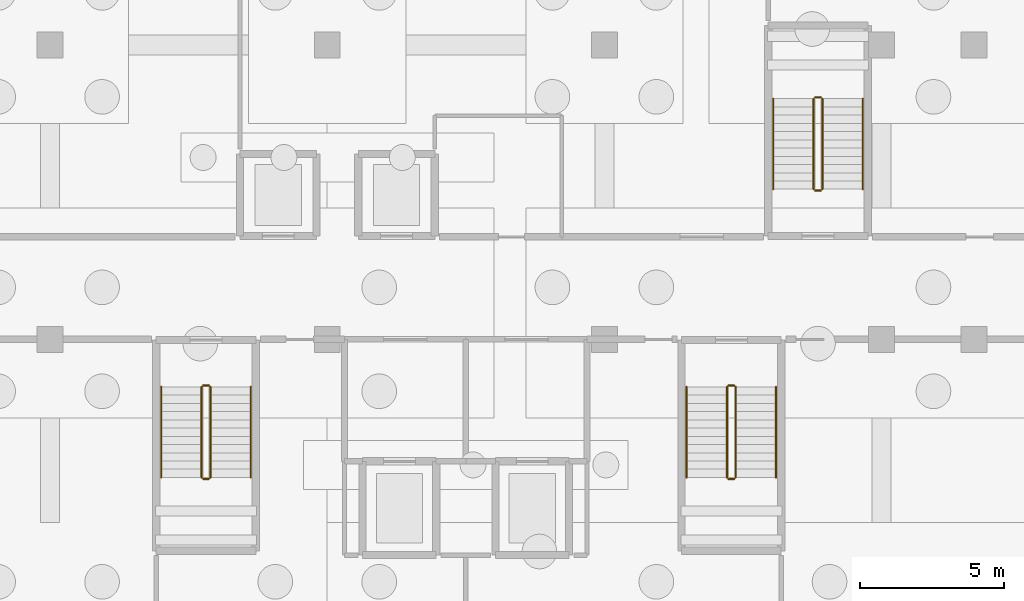
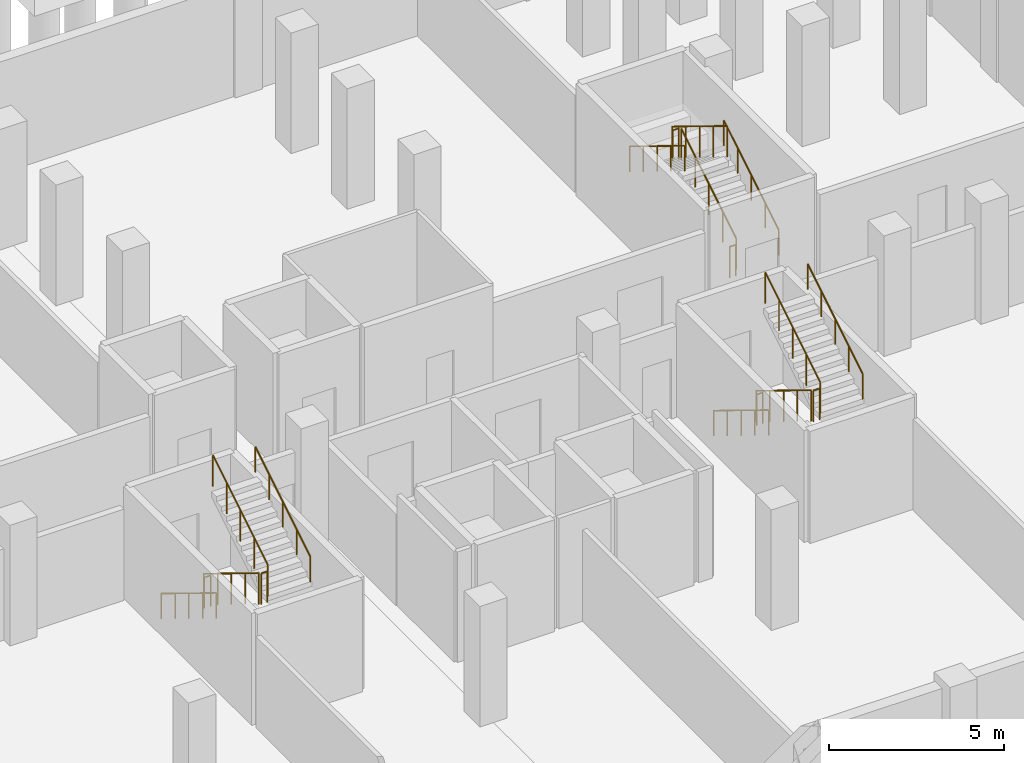
# One storey, part 14 of 18: 18 railings.
"""IFC4 building model written with IfcOpenShell, lengths in metres."""

from ifc_helpers import new_model, si_unit, direction, frame, origin, origin_2d, place, context, subcontext, project, spatial, circle, extrude, material, layer, layer_set, type_object, element, save


model = new_model("IFC4")

# Units and contexts
model_context = context("Model", 3, precision=1e-05, world=origin(), true_north=direction((0.0, 1.0)))
body_context = subcontext(model_context, "Body", "Model", "MODEL_VIEW")
ifc_project = project(units=[si_unit("LENGTHUNIT", "METRE"), si_unit("AREAUNIT", "SQUARE_METRE"), si_unit("VOLUMEUNIT", "CUBIC_METRE"), si_unit("PLANEANGLEUNIT", "RADIAN"), si_unit("MASSUNIT", "GRAM", prefix="KILO")], contexts=[model_context])

# Site, building, storey
site_placement = place(None, origin())
site = spatial("IfcSite", under=ifc_project, at=site_placement, CompositionType="ELEMENT")
building_placement = place(site_placement, origin())
building = spatial("IfcBuilding", under=site, at=building_placement, Name="Vondelvale Polytechnic", CompositionType="ELEMENT")
storey_placement = place(building_placement, frame((0.0, 0.0, -4.199951171875)))
storey = spatial("IfcBuildingStorey", under=building, at=storey_placement, Name="B1", CompositionType="ELEMENT", Elevation=-4.199951171875)

# Railings
ifc_material = material(Name="Brushed architectural stainless and zinc-coated metal")
ifc_layer_1 = layer(ifc_material, 0.050048828125)
ifc_layer_set_1 = layer_set([ifc_layer_1], Name="RL-STAIR-GUARD")
railing_type_1 = type_object("IfcRailingType", Name="RL-STAIR-GUARD", PredefinedType="GUARDRAIL", material=ifc_layer_set_1)
railing_1_placement = place(storey_placement, frame((14.85009765625, 18.75, 0.175048828125)))
element("IfcRailing", 1, at=railing_1_placement, inside=storey, type_object=railing_type_1, Name="B1 ST-03 stair guard 1", PredefinedType="GUARDRAIL", context=body_context, shape_type="SweptSolid", body=[
    extrude(circle(Radius=0.02392578125, at=origin_2d()), frame((0.0, 0.0, 1.076171875), z_axis=(0.0, -0.852195625947, 0.523223293744), x_axis=(1.0, 0.0, 0.0)), (0.0, 0.0, 1.0), 3.6787109375),
    extrude(circle(Radius=0.02099609375, at=origin_2d()), origin(), (0.0, 0.0, 1.0), 1.052001953125),
    extrude(circle(Radius=0.02099609375, at=origin_2d()), frame((0.0, -0.78369140625, 0.481201171875)), (0.0, 0.0, 1.0), 1.052001953125),
    extrude(circle(Radius=0.02099609375, at=origin_2d()), frame((0.0, -1.5673828125, 0.96240234375)), (0.0, 0.0, 1.0), 1.052001953125),
    extrude(circle(Radius=0.02099609375, at=origin_2d()), frame((0.0, -2.351318359375, 1.443603515625)), (0.0, 0.0, 1.0), 1.052001953125),
    extrude(circle(Radius=0.02099609375, at=origin_2d()), frame((0.0, -3.135009765625, 1.9248046875)), (0.0, 0.0, 1.0), 1.052001953125),
])
railing_2_placement = place(storey_placement, frame((14.89990234375, 15.56494140625, 2.099853515625)))
element("IfcRailing", 2, at=railing_2_placement, inside=storey, type_object=railing_type_1, Name="B1 ST-03 stair guard 2", PredefinedType="GUARDRAIL", context=body_context, shape_type="SweptSolid", body=[
    extrude(circle(Radius=0.02392578125, at=origin_2d()), frame((0.0, 0.0, 1.076171875), z_axis=(1.0, 0.0, 0.0), x_axis=(0.0, 1.0, 0.0)), (0.0, 0.0, 1.0), 0.2001953125),
    extrude(circle(Radius=0.02099609375, at=origin_2d()), origin(), (0.0, 0.0, 1.0), 1.052001953125),
    extrude(circle(Radius=0.02099609375, at=origin_2d()), frame((0.2001953125, 0.0, 0.0)), (0.0, 0.0, 1.0), 1.052001953125),
])
railing_3_placement = place(storey_placement, frame((15.14990234375, 15.614990234375, 2.27490234375)))
element("IfcRailing", 3, at=railing_3_placement, inside=storey, type_object=railing_type_1, Name="B1 ST-03 stair guard 3", PredefinedType="GUARDRAIL", context=body_context, shape_type="SweptSolid", body=[
    extrude(circle(Radius=0.02392578125, at=origin_2d()), frame((0.0, 0.0, 1.076171875), z_axis=(0.0, 0.852166034122, 0.523271488128), x_axis=(-1.0, 0.0, 0.0)), (0.0, 0.0, 1.0), 3.678955078125),
    extrude(circle(Radius=0.02099609375, at=origin_2d()), origin(), (0.0, 0.0, 1.0), 1.052001953125),
    extrude(circle(Radius=0.02099609375, at=origin_2d()), frame((0.0, 0.78369140625, 0.481201171875)), (0.0, 0.0, 1.0), 1.052001953125),
    extrude(circle(Radius=0.02099609375, at=origin_2d()), frame((0.0, 1.5673828125, 0.96240234375)), (0.0, 0.0, 1.0), 1.052001953125),
    extrude(circle(Radius=0.02099609375, at=origin_2d()), frame((0.0, 2.351318359375, 1.44384765625)), (0.0, 0.0, 1.0), 1.052001953125),
    extrude(circle(Radius=0.02099609375, at=origin_2d()), frame((0.0, 3.135009765625, 1.925048828125)), (0.0, 0.0, 1.0), 1.052001953125),
])
railing_4_placement = place(storey_placement, frame((14.89990234375, 18.800048828125, 0.0)))
element("IfcRailing", 4, at=railing_4_placement, inside=storey, type_object=railing_type_1, Name="B1 ST-03 stair guard 4", PredefinedType="GUARDRAIL", context=body_context, shape_type="SweptSolid", body=[
    extrude(circle(Radius=0.02392578125, at=origin_2d()), frame((0.0, 0.0, 1.076171875), z_axis=(1.0, 0.0, 0.0), x_axis=(0.0, 1.0, 0.0)), (0.0, 0.0, 1.0), 0.2001953125),
    extrude(circle(Radius=0.02099609375, at=origin_2d()), origin(), (0.0, 0.0, 1.0), 1.052001953125),
    extrude(circle(Radius=0.02099609375, at=origin_2d()), frame((0.2001953125, 0.0, 0.0)), (0.0, 0.0, 1.0), 1.052001953125),
])
railing_5_placement = place(storey_placement, frame((33.050048828125, 18.75, 0.175048828125)))
element("IfcRailing", 5, at=railing_5_placement, inside=storey, type_object=railing_type_1, Name="B1 ST-04 stair guard 1", PredefinedType="GUARDRAIL", context=body_context, shape_type="SweptSolid", body=[
    extrude(circle(Radius=0.02392578125, at=origin_2d()), frame((0.0, 0.0, 1.076171875), z_axis=(0.0, -0.852195625947, 0.523223293744), x_axis=(1.0, 0.0, 0.0)), (0.0, 0.0, 1.0), 3.6787109375),
    extrude(circle(Radius=0.02099609375, at=origin_2d()), origin(), (0.0, 0.0, 1.0), 1.052001953125),
    extrude(circle(Radius=0.02099609375, at=origin_2d()), frame((0.0, -0.78369140625, 0.481201171875)), (0.0, 0.0, 1.0), 1.052001953125),
    extrude(circle(Radius=0.02099609375, at=origin_2d()), frame((0.0, -1.5673828125, 0.96240234375)), (0.0, 0.0, 1.0), 1.052001953125),
    extrude(circle(Radius=0.02099609375, at=origin_2d()), frame((0.0, -2.351318359375, 1.443603515625)), (0.0, 0.0, 1.0), 1.052001953125),
    extrude(circle(Radius=0.02099609375, at=origin_2d()), frame((0.0, -3.135009765625, 1.9248046875)), (0.0, 0.0, 1.0), 1.052001953125),
])
railing_6_placement = place(storey_placement, frame((33.10009765625, 15.56494140625, 2.099853515625)))
element("IfcRailing", 6, at=railing_6_placement, inside=storey, type_object=railing_type_1, Name="B1 ST-04 stair guard 2", PredefinedType="GUARDRAIL", context=body_context, shape_type="SweptSolid", body=[
    extrude(circle(Radius=0.02392578125, at=origin_2d()), frame((0.0, 0.0, 1.076171875), z_axis=(1.0, 0.0, 0.0), x_axis=(0.0, 1.0, 0.0)), (0.0, 0.0, 1.0), 0.199951171875),
    extrude(circle(Radius=0.02099609375, at=origin_2d()), origin(), (0.0, 0.0, 1.0), 1.052001953125),
    extrude(circle(Radius=0.02099609375, at=origin_2d()), frame((0.199951171875, 0.0, 0.0)), (0.0, 0.0, 1.0), 1.052001953125),
])
railing_7_placement = place(storey_placement, frame((33.35009765625, 15.614990234375, 2.27490234375)))
element("IfcRailing", 7, at=railing_7_placement, inside=storey, type_object=railing_type_1, Name="B1 ST-04 stair guard 3", PredefinedType="GUARDRAIL", context=body_context, shape_type="SweptSolid", body=[
    extrude(circle(Radius=0.02392578125, at=origin_2d()), frame((0.0, 0.0, 1.076171875), z_axis=(0.0, 0.852166034122, 0.523271488128), x_axis=(-1.0, 0.0, 0.0)), (0.0, 0.0, 1.0), 3.678955078125),
    extrude(circle(Radius=0.02099609375, at=origin_2d()), origin(), (0.0, 0.0, 1.0), 1.052001953125),
    extrude(circle(Radius=0.02099609375, at=origin_2d()), frame((0.0, 0.78369140625, 0.481201171875)), (0.0, 0.0, 1.0), 1.052001953125),
    extrude(circle(Radius=0.02099609375, at=origin_2d()), frame((0.0, 1.5673828125, 0.96240234375)), (0.0, 0.0, 1.0), 1.052001953125),
    extrude(circle(Radius=0.02099609375, at=origin_2d()), frame((0.0, 2.351318359375, 1.44384765625)), (0.0, 0.0, 1.0), 1.052001953125),
    extrude(circle(Radius=0.02099609375, at=origin_2d()), frame((0.0, 3.135009765625, 1.925048828125)), (0.0, 0.0, 1.0), 1.052001953125),
])
railing_8_placement = place(storey_placement, frame((33.10009765625, 18.800048828125, 0.0)))
element("IfcRailing", 8, at=railing_8_placement, inside=storey, type_object=railing_type_1, Name="B1 ST-04 stair guard 4", PredefinedType="GUARDRAIL", context=body_context, shape_type="SweptSolid", body=[
    extrude(circle(Radius=0.02392578125, at=origin_2d()), frame((0.0, 0.0, 1.076171875), z_axis=(1.0, 0.0, 0.0), x_axis=(0.0, 1.0, 0.0)), (0.0, 0.0, 1.0), 0.199951171875),
    extrude(circle(Radius=0.02099609375, at=origin_2d()), origin(), (0.0, 0.0, 1.0), 1.052001953125),
    extrude(circle(Radius=0.02099609375, at=origin_2d()), frame((0.199951171875, 0.0, 0.0)), (0.0, 0.0, 1.0), 1.052001953125),
])
railing_9_placement = place(storey_placement, frame((36.35009765625, 25.60009765625, 0.175048828125)))
element("IfcRailing", 9, at=railing_9_placement, inside=storey, type_object=railing_type_1, Name="B1 ST-05 stair guard 1", PredefinedType="GUARDRAIL", context=body_context, shape_type="SweptSolid", body=[
    extrude(circle(Radius=0.02392578125, at=origin_2d()), frame((0.0, 0.0, 1.076171875), z_axis=(0.0, 0.852195625947, 0.523223293744), x_axis=(-1.0, 0.0, 0.0)), (0.0, 0.0, 1.0), 3.6787109375),
    extrude(circle(Radius=0.02099609375, at=origin_2d()), origin(), (0.0, 0.0, 1.0), 1.052001953125),
    extrude(circle(Radius=0.02099609375, at=origin_2d()), frame((0.0, 0.78369140625, 0.481201171875)), (0.0, 0.0, 1.0), 1.052001953125),
    extrude(circle(Radius=0.02099609375, at=origin_2d()), frame((0.0, 1.5673828125, 0.96240234375)), (0.0, 0.0, 1.0), 1.052001953125),
    extrude(circle(Radius=0.02099609375, at=origin_2d()), frame((0.0, 2.351318359375, 1.443603515625)), (0.0, 0.0, 1.0), 1.052001953125),
    extrude(circle(Radius=0.02099609375, at=origin_2d()), frame((0.0, 3.135009765625, 1.9248046875)), (0.0, 0.0, 1.0), 1.052001953125),
])
railing_10_placement = place(storey_placement, frame((36.300048828125, 28.784912109375, 2.099853515625)))
element("IfcRailing", 10, at=railing_10_placement, inside=storey, type_object=railing_type_1, Name="B1 ST-05 stair guard 2", PredefinedType="GUARDRAIL", context=body_context, shape_type="SweptSolid", body=[
    extrude(circle(Radius=0.02392578125, at=origin_2d()), frame((0.0, 0.0, 1.076171875), z_axis=(-1.0, 0.0, 0.0), x_axis=(0.0, -1.0, 0.0)), (0.0, 0.0, 1.0), 0.199951171875),
    extrude(circle(Radius=0.02099609375, at=origin_2d()), origin(), (0.0, 0.0, 1.0), 1.052001953125),
    extrude(circle(Radius=0.02099609375, at=origin_2d()), frame((-0.199951171875, 0.0, 0.0)), (0.0, 0.0, 1.0), 1.052001953125),
])
railing_11_placement = place(storey_placement, frame((36.050048828125, 28.735107421875, 2.27490234375)))
element("IfcRailing", 11, at=railing_11_placement, inside=storey, type_object=railing_type_1, Name="B1 ST-05 stair guard 3", PredefinedType="GUARDRAIL", context=body_context, shape_type="SweptSolid", body=[
    extrude(circle(Radius=0.02392578125, at=origin_2d()), frame((0.0, 0.0, 1.076171875), z_axis=(0.0, -0.852166034122, 0.523271488128), x_axis=(1.0, 0.0, 0.0)), (0.0, 0.0, 1.0), 3.678955078125),
    extrude(circle(Radius=0.02099609375, at=origin_2d()), origin(), (0.0, 0.0, 1.0), 1.052001953125),
    extrude(circle(Radius=0.02099609375, at=origin_2d()), frame((0.0, -0.78369140625, 0.481201171875)), (0.0, 0.0, 1.0), 1.052001953125),
    extrude(circle(Radius=0.02099609375, at=origin_2d()), frame((0.0, -1.5673828125, 0.96240234375)), (0.0, 0.0, 1.0), 1.052001953125),
    extrude(circle(Radius=0.02099609375, at=origin_2d()), frame((0.0, -2.351318359375, 1.44384765625)), (0.0, 0.0, 1.0), 1.052001953125),
    extrude(circle(Radius=0.02099609375, at=origin_2d()), frame((0.0, -3.135009765625, 1.925048828125)), (0.0, 0.0, 1.0), 1.052001953125),
])
railing_12_placement = place(storey_placement, frame((36.300048828125, 25.550048828125, 0.0)))
element("IfcRailing", 12, at=railing_12_placement, inside=storey, type_object=railing_type_1, Name="B1 ST-05 stair guard 4", PredefinedType="GUARDRAIL", context=body_context, shape_type="SweptSolid", body=[
    extrude(circle(Radius=0.02392578125, at=origin_2d()), frame((0.0, 0.0, 1.076171875), z_axis=(-1.0, 0.0, 0.0), x_axis=(0.0, -1.0, 0.0)), (0.0, 0.0, 1.0), 0.199951171875),
    extrude(circle(Radius=0.02099609375, at=origin_2d()), origin(), (0.0, 0.0, 1.0), 1.052001953125),
    extrude(circle(Radius=0.02099609375, at=origin_2d()), frame((-0.199951171875, 0.0, 0.0)), (0.0, 0.0, 1.0), 1.052001953125),
])
ifc_layer_2 = layer(ifc_material, 0.048095703125)
ifc_layer_set_2 = layer_set([ifc_layer_2], Name="RL-STAIR-HANDRAIL")
railing_type_2 = type_object("IfcRailingType", Name="RL-STAIR-HANDRAIL", PredefinedType="HANDRAIL", material=ifc_layer_set_2)
railing_13_placement = place(storey_placement, frame((13.449951171875, 18.75, 0.175048828125)))
element("IfcRailing", 13, at=railing_13_placement, inside=storey, type_object=railing_type_2, Name="B1 ST-03 stair handrail 1", PredefinedType="HANDRAIL", context=body_context, shape_type="SweptSolid", body=[
    extrude(circle(Radius=0.02392578125, at=origin_2d()), frame((0.0, 0.0, 0.8759765625), z_axis=(0.0, -0.852195625947, 0.523223293744), x_axis=(1.0, 0.0, 0.0)), (0.0, 0.0, 1.0), 3.6787109375),
    extrude(circle(Radius=0.02099609375, at=origin_2d()), origin(), (0.0, 0.0, 1.0), 0.851806640625),
    extrude(circle(Radius=0.02099609375, at=origin_2d()), frame((0.0, -0.78369140625, 0.481201171875)), (0.0, 0.0, 1.0), 0.851806640625),
    extrude(circle(Radius=0.02099609375, at=origin_2d()), frame((0.0, -1.5673828125, 0.96240234375)), (0.0, 0.0, 1.0), 0.851806640625),
    extrude(circle(Radius=0.02099609375, at=origin_2d()), frame((0.0, -2.351318359375, 1.443603515625)), (0.0, 0.0, 1.0), 0.851806640625),
    extrude(circle(Radius=0.02099609375, at=origin_2d()), frame((0.0, -3.135009765625, 1.9248046875)), (0.0, 0.0, 1.0), 0.851806640625),
])
railing_14_placement = place(storey_placement, frame((16.550048828125, 15.614990234375, 2.27490234375)))
element("IfcRailing", 14, at=railing_14_placement, inside=storey, type_object=railing_type_2, Name="B1 ST-03 stair handrail 2", PredefinedType="HANDRAIL", context=body_context, shape_type="SweptSolid", body=[
    extrude(circle(Radius=0.02392578125, at=origin_2d()), frame((0.0, 0.0, 0.8759765625), z_axis=(0.0, 0.852166034122, 0.523271488128), x_axis=(-1.0, 0.0, 0.0)), (0.0, 0.0, 1.0), 3.678955078125),
    extrude(circle(Radius=0.02099609375, at=origin_2d()), origin(), (0.0, 0.0, 1.0), 0.851806640625),
    extrude(circle(Radius=0.02099609375, at=origin_2d()), frame((0.0, 0.78369140625, 0.481201171875)), (0.0, 0.0, 1.0), 0.851806640625),
    extrude(circle(Radius=0.02099609375, at=origin_2d()), frame((0.0, 1.5673828125, 0.96240234375)), (0.0, 0.0, 1.0), 0.851806640625),
    extrude(circle(Radius=0.02099609375, at=origin_2d()), frame((0.0, 2.351318359375, 1.44384765625)), (0.0, 0.0, 1.0), 0.851806640625),
    extrude(circle(Radius=0.02099609375, at=origin_2d()), frame((0.0, 3.135009765625, 1.925048828125)), (0.0, 0.0, 1.0), 0.851806640625),
])
railing_15_placement = place(storey_placement, frame((31.64990234375, 18.75, 0.175048828125)))
element("IfcRailing", 15, at=railing_15_placement, inside=storey, type_object=railing_type_2, Name="B1 ST-04 stair handrail 1", PredefinedType="HANDRAIL", context=body_context, shape_type="SweptSolid", body=[
    extrude(circle(Radius=0.02392578125, at=origin_2d()), frame((0.0, 0.0, 0.8759765625), z_axis=(0.0, -0.852195625947, 0.523223293744), x_axis=(1.0, 0.0, 0.0)), (0.0, 0.0, 1.0), 3.6787109375),
    extrude(circle(Radius=0.02099609375, at=origin_2d()), origin(), (0.0, 0.0, 1.0), 0.851806640625),
    extrude(circle(Radius=0.02099609375, at=origin_2d()), frame((0.0, -0.78369140625, 0.481201171875)), (0.0, 0.0, 1.0), 0.851806640625),
    extrude(circle(Radius=0.02099609375, at=origin_2d()), frame((0.0, -1.5673828125, 0.96240234375)), (0.0, 0.0, 1.0), 0.851806640625),
    extrude(circle(Radius=0.02099609375, at=origin_2d()), frame((0.0, -2.351318359375, 1.443603515625)), (0.0, 0.0, 1.0), 0.851806640625),
    extrude(circle(Radius=0.02099609375, at=origin_2d()), frame((0.0, -3.135009765625, 1.9248046875)), (0.0, 0.0, 1.0), 0.851806640625),
])
railing_16_placement = place(storey_placement, frame((34.75, 15.614990234375, 2.27490234375)))
element("IfcRailing", 16, at=railing_16_placement, inside=storey, type_object=railing_type_2, Name="B1 ST-04 stair handrail 2", PredefinedType="HANDRAIL", context=body_context, shape_type="SweptSolid", body=[
    extrude(circle(Radius=0.02392578125, at=origin_2d()), frame((0.0, 0.0, 0.8759765625), z_axis=(0.0, 0.852166034122, 0.523271488128), x_axis=(-1.0, 0.0, 0.0)), (0.0, 0.0, 1.0), 3.678955078125),
    extrude(circle(Radius=0.02099609375, at=origin_2d()), origin(), (0.0, 0.0, 1.0), 0.851806640625),
    extrude(circle(Radius=0.02099609375, at=origin_2d()), frame((0.0, 0.78369140625, 0.481201171875)), (0.0, 0.0, 1.0), 0.851806640625),
    extrude(circle(Radius=0.02099609375, at=origin_2d()), frame((0.0, 1.5673828125, 0.96240234375)), (0.0, 0.0, 1.0), 0.851806640625),
    extrude(circle(Radius=0.02099609375, at=origin_2d()), frame((0.0, 2.351318359375, 1.44384765625)), (0.0, 0.0, 1.0), 0.851806640625),
    extrude(circle(Radius=0.02099609375, at=origin_2d()), frame((0.0, 3.135009765625, 1.925048828125)), (0.0, 0.0, 1.0), 0.851806640625),
])
railing_17_placement = place(storey_placement, frame((37.75, 25.60009765625, 0.175048828125)))
element("IfcRailing", 17, at=railing_17_placement, inside=storey, type_object=railing_type_2, Name="B1 ST-05 stair handrail 1", PredefinedType="HANDRAIL", context=body_context, shape_type="SweptSolid", body=[
    extrude(circle(Radius=0.02392578125, at=origin_2d()), frame((0.0, 0.0, 0.8759765625), z_axis=(0.0, 0.852195625947, 0.523223293744), x_axis=(-1.0, 0.0, 0.0)), (0.0, 0.0, 1.0), 3.6787109375),
    extrude(circle(Radius=0.02099609375, at=origin_2d()), origin(), (0.0, 0.0, 1.0), 0.851806640625),
    extrude(circle(Radius=0.02099609375, at=origin_2d()), frame((0.0, 0.78369140625, 0.481201171875)), (0.0, 0.0, 1.0), 0.851806640625),
    extrude(circle(Radius=0.02099609375, at=origin_2d()), frame((0.0, 1.5673828125, 0.96240234375)), (0.0, 0.0, 1.0), 0.851806640625),
    extrude(circle(Radius=0.02099609375, at=origin_2d()), frame((0.0, 2.351318359375, 1.443603515625)), (0.0, 0.0, 1.0), 0.851806640625),
    extrude(circle(Radius=0.02099609375, at=origin_2d()), frame((0.0, 3.135009765625, 1.9248046875)), (0.0, 0.0, 1.0), 0.851806640625),
])
railing_18_placement = place(storey_placement, frame((34.64990234375, 28.735107421875, 2.27490234375)))
element("IfcRailing", 18, at=railing_18_placement, inside=storey, type_object=railing_type_2, Name="B1 ST-05 stair handrail 2", PredefinedType="HANDRAIL", context=body_context, shape_type="SweptSolid", body=[
    extrude(circle(Radius=0.02392578125, at=origin_2d()), frame((0.0, 0.0, 0.8759765625), z_axis=(0.0, -0.852166034122, 0.523271488128), x_axis=(1.0, 0.0, 0.0)), (0.0, 0.0, 1.0), 3.678955078125),
    extrude(circle(Radius=0.02099609375, at=origin_2d()), origin(), (0.0, 0.0, 1.0), 0.851806640625),
    extrude(circle(Radius=0.02099609375, at=origin_2d()), frame((0.0, -0.78369140625, 0.481201171875)), (0.0, 0.0, 1.0), 0.851806640625),
    extrude(circle(Radius=0.02099609375, at=origin_2d()), frame((0.0, -1.5673828125, 0.96240234375)), (0.0, 0.0, 1.0), 0.851806640625),
    extrude(circle(Radius=0.02099609375, at=origin_2d()), frame((0.0, -2.351318359375, 1.44384765625)), (0.0, 0.0, 1.0), 0.851806640625),
    extrude(circle(Radius=0.02099609375, at=origin_2d()), frame((0.0, -3.135009765625, 1.925048828125)), (0.0, 0.0, 1.0), 0.851806640625),
])

save(model, "model.ifc")
